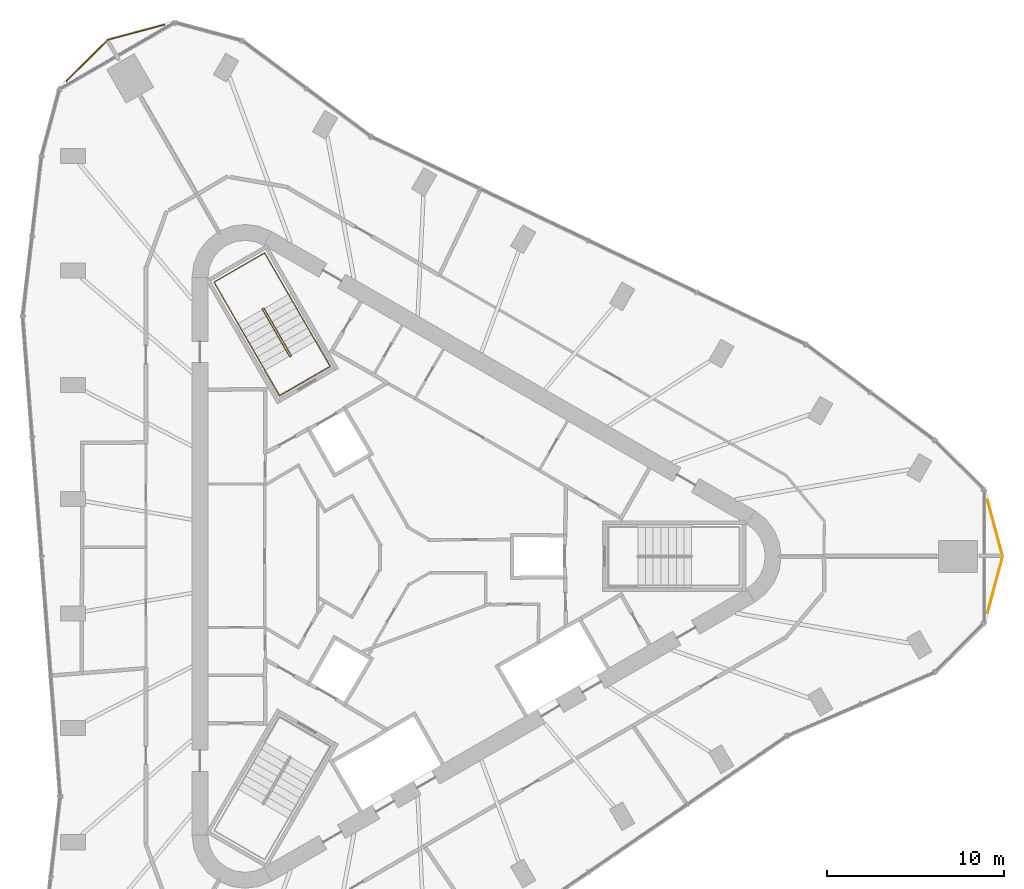
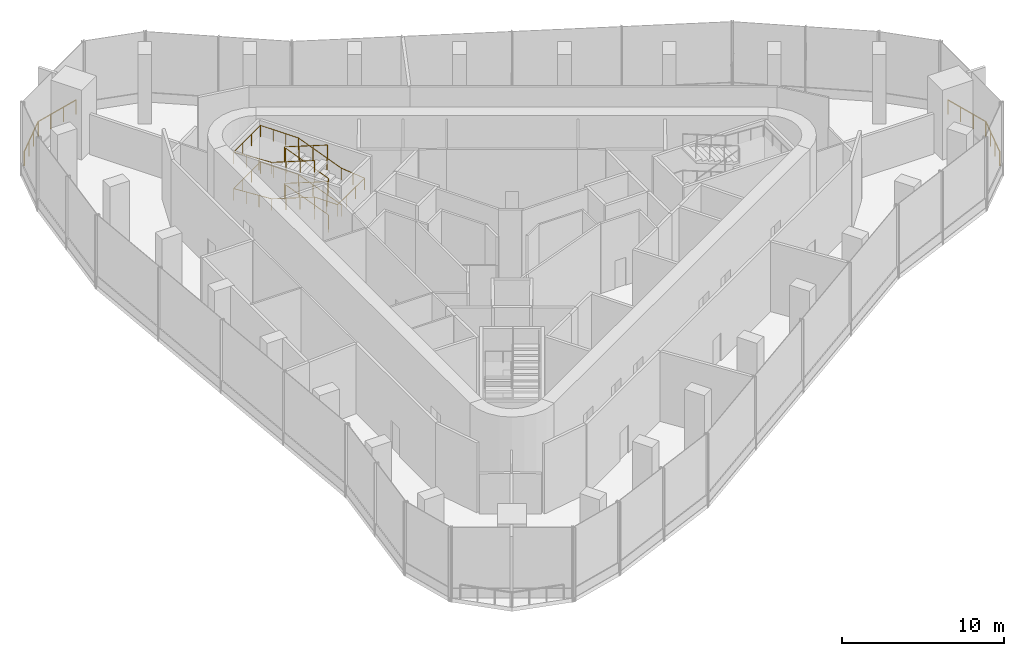
# One storey, part 13 of 13: 4 railings.
"""IFC4 building model written with IfcOpenShell, lengths in metres."""

from ifc_helpers import new_model, si_unit, direction, frame, origin, origin_2d, place, context, subcontext, project, spatial, circle, extrude, material, type_object, element, save


model = new_model("IFC4")

# Units and contexts
model_context = context("Model", 3, precision=1e-05, world=origin(), true_north=direction((0.0, 1.0)))
body_context = subcontext(model_context, "Body", "Model", "MODEL_VIEW")
ifc_project = project(units=[si_unit("LENGTHUNIT", "METRE"), si_unit("AREAUNIT", "SQUARE_METRE"), si_unit("VOLUMEUNIT", "CUBIC_METRE"), si_unit("PLANEANGLEUNIT", "RADIAN"), si_unit("MASSUNIT", "GRAM", prefix="KILO")], contexts=[model_context])

# Site, building, storey
site_placement = place(None, origin())
site = spatial("IfcSite", under=ifc_project, at=site_placement, CompositionType="ELEMENT")
building_placement = place(site_placement, origin())
building = spatial("IfcBuilding", under=site, at=building_placement, Name="Tanit Gate Tower", CompositionType="ELEMENT")
storey_placement = place(building_placement, frame((0.0, 0.0, 404.800048828125)))
storey = spatial("IfcBuildingStorey", under=building, at=storey_placement, Name="L92", CompositionType="ELEMENT", Elevation=404.800048828125)

# Railings
ifc_material_1 = material(Name="Stainless steel", Category="steel")
railing_type_1 = type_object("IfcRailingType", Name="Guard 1100 stainless steel balustrade", PredefinedType="GUARDRAIL", material=ifc_material_1)
railing_1_placement = place(storey_placement, frame((-19.1923828125, 26.8603515625, 0.0)))
element("IfcRailing", 1, at=railing_1_placement, inside=storey, type_object=railing_type_1, Name="Corner ledge guard L92 2", PredefinedType="GUARDRAIL", context=body_context, shape_type="SweptSolid", body=[
    extrude(circle(Radius=0.02392578125, at=origin_2d()), frame((0.0, 0.0, 1.076171875), z_axis=(0.707106781187, 0.707106781187, 0.0), x_axis=(-0.707106781187, 0.707106781187, 0.0)), (0.0, 0.0, 1.0), 3.303466796875),
    extrude(circle(Radius=0.02392578125, at=origin_2d()), frame((2.3359375, 2.3359375, 1.076171875), z_axis=(0.965927598952, 0.258812429344, 0.0), x_axis=(-0.258812429344, 0.965927598952, 0.0)), (0.0, 0.0, 1.0), 3.303466796875),
    extrude(circle(Radius=0.02099609375, at=origin_2d()), origin(), (0.0, 0.0, 1.0), 1.052001953125),
    extrude(circle(Radius=0.02099609375, at=origin_2d()), frame((0.778564453125, 0.778564453125, 0.0)), (0.0, 0.0, 1.0), 1.052001953125),
    extrude(circle(Radius=0.02099609375, at=origin_2d()), frame((1.557373046875, 1.557373046875, 0.0)), (0.0, 0.0, 1.0), 1.052001953125),
    extrude(circle(Radius=0.02099609375, at=origin_2d()), frame((2.3359375, 2.3359375, 0.0)), (0.0, 0.0, 1.0), 1.052001953125),
    extrude(circle(Radius=0.02099609375, at=origin_2d()), frame((3.399658203125, 2.620849609375, 0.0)), (0.0, 0.0, 1.0), 1.052001953125),
    extrude(circle(Radius=0.02099609375, at=origin_2d()), frame((4.463134765625, 2.906005859375, 0.0)), (0.0, 0.0, 1.0), 1.052001953125),
    extrude(circle(Radius=0.02099609375, at=origin_2d()), frame((5.52685546875, 3.19091796875, 0.0)), (0.0, 0.0, 1.0), 1.052001953125),
])
railing_2_placement = place(storey_placement, frame((32.85791015625, 3.190673828125, 0.0)))
element("IfcRailing", 2, at=railing_2_placement, inside=storey, type_object=railing_type_1, Name="Corner ledge guard L92 3", PredefinedType="GUARDRAIL", context=body_context, shape_type="SweptSolid", body=[
    extrude(circle(Radius=0.02392578125, at=origin_2d()), frame((0.0, 0.0, 1.076171875), z_axis=(0.258830906222, -0.965922648034, 0.0), x_axis=(0.965922648034, 0.258830906222, 0.0)), (0.0, 0.0, 1.0), 3.30322265625),
    extrude(circle(Radius=0.02392578125, at=origin_2d()), frame((0.85498046875, -3.190673828125, 1.076171875), z_axis=(-0.258830906222, -0.965922648034, 0.0), x_axis=(0.965922648034, -0.258830906222, 0.0)), (0.0, 0.0, 1.0), 3.30322265625),
    extrude(circle(Radius=0.02099609375, at=origin_2d()), origin(), (0.0, 0.0, 1.0), 1.052001953125),
    extrude(circle(Radius=0.02099609375, at=origin_2d()), frame((0.284912109375, -1.0634765625, 0.0)), (0.0, 0.0, 1.0), 1.052001953125),
    extrude(circle(Radius=0.02099609375, at=origin_2d()), frame((0.570068359375, -2.127197265625, 0.0)), (0.0, 0.0, 1.0), 1.052001953125),
    extrude(circle(Radius=0.02099609375, at=origin_2d()), frame((0.85498046875, -3.190673828125, 0.0)), (0.0, 0.0, 1.0), 1.052001953125),
    extrude(circle(Radius=0.02099609375, at=origin_2d()), frame((0.570068359375, -4.254150390625, 0.0)), (0.0, 0.0, 1.0), 1.052001953125),
    extrude(circle(Radius=0.02099609375, at=origin_2d()), frame((0.284912109375, -5.31787109375, 0.0)), (0.0, 0.0, 1.0), 1.052001953125),
    extrude(circle(Radius=0.02099609375, at=origin_2d()), frame((0.0, -6.38134765625, 0.0)), (0.0, 0.0, 1.0), 1.052001953125),
])
ifc_material_2 = material(Name="Stainless steel balustrade", Category="steel")
railing_type_2 = type_object("IfcRailingType", Name="INT-STAIR-GUARD", PredefinedType="GUARDRAIL", material=ifc_material_2)
railing_3_placement = place(storey_placement, frame((-6.527099609375, 11.29345703125, 0.0)))
element("IfcRailing", 3, at=railing_3_placement, inside=storey, type_object=railing_type_2, Name="L92 S2 stair guard 1", PredefinedType="GUARDRAIL", context=body_context, shape_type="SweptSolid", body=[
    extrude(circle(Radius=0.02392578125, at=origin_2d()), frame((0.0, 0.0, 1.076171875), z_axis=(0.868243142124, 0.496138938357, 0.0), x_axis=(-0.496138938357, 0.868243142124, 0.0)), (0.0, 0.0, 1.0), 0.01171875),
    extrude(circle(Radius=0.02392578125, at=origin_2d()), frame((0.01025390625, 0.005859375, 1.076171875), z_axis=(0.098510316608, 0.367771848671, 0.924683505231), x_axis=(-0.965948051503, 0.258736085224, 0.0)), (0.0, 0.0, 1.0), 0.185791015625),
    extrude(circle(Radius=0.02392578125, at=origin_2d()), frame((0.028564453125, 0.07421875, 1.248046875), z_axis=(-0.465124729526, 0.805570708496, 0.367035174877), x_axis=(-0.866012246495, -0.500022788402, 0.0)), (0.0, 0.0, 1.0), 3.278076171875),
    extrude(circle(Radius=0.02392578125, at=origin_2d()), frame((-1.49609375, 2.71484375, 2.451171875), z_axis=(-0.965715946433, 0.259601060869, 0.0), x_axis=(-0.259601060869, -0.965715946433, 0.0)), (0.0, 0.0, 1.0), 0.070556640625),
    extrude(circle(Radius=0.02392578125, at=origin_2d()), frame((-1.564208984375, 2.733154296875, 2.451171875), z_axis=(-0.873197702015, -0.487366159264, 0.0), x_axis=(0.487366159264, -0.873197702015, 0.0)), (0.0, 0.0, 1.0), 0.011962890625),
    extrude(circle(Radius=0.02392578125, at=origin_2d()), frame((-1.57470703125, 2.727294921875, 2.451171875), z_axis=(-0.098510316608, -0.367771848671, 0.924683505231), x_axis=(0.965948051503, -0.258736085224, 0.0)), (0.0, 0.0, 1.0), 0.185791015625),
    extrude(circle(Radius=0.02392578125, at=origin_2d()), frame((-1.593017578125, 2.658935546875, 2.623046875), z_axis=(0.465124729526, -0.805570708496, 0.367035174877), x_axis=(0.866012246495, 0.500022788402, 0.0)), (0.0, 0.0, 1.0), 3.278076171875),
    extrude(circle(Radius=0.02392578125, at=origin_2d()), frame((-0.068359375, 0.018310546875, 3.826171875), z_axis=(0.965948051503, -0.258736085224, 0.0), x_axis=(0.258736085224, 0.965948051503, 0.0)), (0.0, 0.0, 1.0), 0.07080078125),
    extrude(circle(Radius=0.02392578125, at=origin_2d()), frame((0.0, 0.0, 3.826171875), z_axis=(0.868243142124, 0.496138938357, 0.0), x_axis=(-0.496138938357, 0.868243142124, 0.0)), (0.0, 0.0, 1.0), 0.01171875),
    extrude(circle(Radius=0.02392578125, at=origin_2d()), frame((0.01025390625, 0.005859375, 3.826171875), z_axis=(0.098510316608, 0.367771848671, 0.924683505231), x_axis=(-0.965948051503, 0.258736085224, 0.0)), (0.0, 0.0, 1.0), 0.185791015625),
    extrude(circle(Radius=0.02392578125, at=origin_2d()), frame((0.028564453125, 0.07421875, 3.998046875), z_axis=(-0.465124729526, 0.805570708496, 0.367035174877), x_axis=(-0.866012246495, -0.500022788402, 0.0)), (0.0, 0.0, 1.0), 3.278076171875),
    extrude(circle(Radius=0.02392578125, at=origin_2d()), frame((-1.49609375, 2.71484375, 5.201171875), z_axis=(-0.965715946433, 0.259601060869, 0.0), x_axis=(-0.259601060869, -0.965715946433, 0.0)), (0.0, 0.0, 1.0), 0.070556640625),
    extrude(circle(Radius=0.02392578125, at=origin_2d()), frame((-1.564208984375, 2.733154296875, 5.201171875), z_axis=(-0.873197702015, -0.487366159264, 0.0), x_axis=(0.487366159264, -0.873197702015, 0.0)), (0.0, 0.0, 1.0), 0.011962890625),
    extrude(circle(Radius=0.02392578125, at=origin_2d()), frame((-1.57470703125, 2.727294921875, 5.201171875), z_axis=(-0.098510316608, -0.367771848671, 0.924683505231), x_axis=(0.965948051503, -0.258736085224, 0.0)), (0.0, 0.0, 1.0), 0.185791015625),
    extrude(circle(Radius=0.02392578125, at=origin_2d()), frame((-1.593017578125, 2.658935546875, 5.373046875), z_axis=(0.465124729526, -0.805570708496, 0.367035174877), x_axis=(0.866012246495, 0.500022788402, 0.0)), (0.0, 0.0, 1.0), 3.278076171875),
    extrude(circle(Radius=0.02099609375, at=origin_2d()), origin(), (0.0, 0.0, 1.0), 1.052001953125),
    extrude(circle(Radius=0.02099609375, at=origin_2d()), frame((0.01025390625, 0.005859375, 0.0)), (0.0, 0.0, 1.0), 1.052001953125),
    extrude(circle(Radius=0.02099609375, at=origin_2d()), frame((0.028564453125, 0.07421875, 0.171875)), (0.0, 0.0, 1.0), 1.052001953125),
    extrude(circle(Radius=0.02099609375, at=origin_2d()), frame((-0.479736328125, 0.954345703125, 0.572998046875)), (0.0, 0.0, 1.0), 1.052001953125),
    extrude(circle(Radius=0.02099609375, at=origin_2d()), frame((-0.98779296875, 1.834716796875, 0.973876953125)), (0.0, 0.0, 1.0), 1.052001953125),
    extrude(circle(Radius=0.02099609375, at=origin_2d()), frame((-1.49609375, 2.71484375, 1.375)), (0.0, 0.0, 1.0), 1.052001953125),
    extrude(circle(Radius=0.02099609375, at=origin_2d()), frame((-1.564208984375, 2.733154296875, 1.375)), (0.0, 0.0, 1.0), 1.052001953125),
    extrude(circle(Radius=0.02099609375, at=origin_2d()), frame((-1.57470703125, 2.727294921875, 1.375)), (0.0, 0.0, 1.0), 1.052001953125),
    extrude(circle(Radius=0.02099609375, at=origin_2d()), frame((-1.593017578125, 2.658935546875, 1.546875)), (0.0, 0.0, 1.0), 1.052001953125),
    extrude(circle(Radius=0.02099609375, at=origin_2d()), frame((-1.084716796875, 1.77880859375, 1.947998046875)), (0.0, 0.0, 1.0), 1.052001953125),
    extrude(circle(Radius=0.02099609375, at=origin_2d()), frame((-0.57666015625, 0.8984375, 2.348876953125)), (0.0, 0.0, 1.0), 1.052001953125),
    extrude(circle(Radius=0.02099609375, at=origin_2d()), frame((-0.068359375, 0.018310546875, 2.75)), (0.0, 0.0, 1.0), 1.052001953125),
    extrude(circle(Radius=0.02099609375, at=origin_2d()), frame((0.0, 0.0, 2.75)), (0.0, 0.0, 1.0), 1.052001953125),
    extrude(circle(Radius=0.02099609375, at=origin_2d()), frame((0.01025390625, 0.005859375, 2.75)), (0.0, 0.0, 1.0), 1.052001953125),
    extrude(circle(Radius=0.02099609375, at=origin_2d()), frame((0.028564453125, 0.07421875, 2.921875)), (0.0, 0.0, 1.0), 1.052001953125),
    extrude(circle(Radius=0.02099609375, at=origin_2d()), frame((-0.479736328125, 0.954345703125, 3.322998046875)), (0.0, 0.0, 1.0), 1.052001953125),
    extrude(circle(Radius=0.02099609375, at=origin_2d()), frame((-0.98779296875, 1.834716796875, 3.723876953125)), (0.0, 0.0, 1.0), 1.052001953125),
    extrude(circle(Radius=0.02099609375, at=origin_2d()), frame((-1.49609375, 2.71484375, 4.125)), (0.0, 0.0, 1.0), 1.052001953125),
    extrude(circle(Radius=0.02099609375, at=origin_2d()), frame((-1.564208984375, 2.733154296875, 4.125)), (0.0, 0.0, 1.0), 1.052001953125),
    extrude(circle(Radius=0.02099609375, at=origin_2d()), frame((-1.57470703125, 2.727294921875, 4.125)), (0.0, 0.0, 1.0), 1.052001953125),
    extrude(circle(Radius=0.02099609375, at=origin_2d()), frame((-1.593017578125, 2.658935546875, 4.296875)), (0.0, 0.0, 1.0), 1.052001953125),
    extrude(circle(Radius=0.02099609375, at=origin_2d()), frame((-1.084716796875, 1.77880859375, 4.697998046875)), (0.0, 0.0, 1.0), 1.052001953125),
    extrude(circle(Radius=0.02099609375, at=origin_2d()), frame((-0.57666015625, 0.8984375, 5.098876953125)), (0.0, 0.0, 1.0), 1.052001953125),
    extrude(circle(Radius=0.02099609375, at=origin_2d()), frame((-0.068359375, 0.018310546875, 5.5)), (0.0, 0.0, 1.0), 1.052001953125),
])
ifc_material_3 = material(Name="Stainless steel handrail", Category="steel")
railing_type_3 = type_object("IfcRailingType", Name="INT-STAIR-HANDRAIL", PredefinedType="HANDRAIL", material=ifc_material_3)
railing_4_placement = place(storey_placement, frame((-5.1181640625, 12.164794921875, 0.171875)))
element("IfcRailing", 4, at=railing_4_placement, inside=storey, type_object=railing_type_3, Name="L92 S2 stair handrail 1", PredefinedType="HANDRAIL", context=body_context, shape_type="SweptSolid", body=[
    extrude(circle(Radius=0.02392578125, at=origin_2d()), frame((0.0, 0.0, 0.8759765625), z_axis=(-0.465066359932, 0.805598614514, 0.367047889453), x_axis=(-0.866046917185, -0.499962735845, 0.0)), (0.0, 0.0, 1.0), 3.27783203125),
    extrude(circle(Radius=0.02392578125, at=origin_2d()), frame((-1.5244140625, 2.640625, 2.0791015625), z_axis=(-0.500019123664, 0.86601436245, 0.0), x_axis=(-0.86601436245, -0.500019123664, 0.0)), (0.0, 0.0, 1.0), 2.70703125),
    extrude(circle(Radius=0.02392578125, at=origin_2d()), frame((-2.8779296875, 4.98486328125, 2.0791015625), z_axis=(-0.866008176907, -0.50002983664, 0.0), x_axis=(0.50002983664, -0.866008176907, 0.0)), (0.0, 0.0, 1.0), 3.300048828125),
    extrude(circle(Radius=0.02392578125, at=origin_2d()), frame((-5.73583984375, 3.334716796875, 2.0791015625), z_axis=(0.499053057293, -0.864251154955, 0.063371816799), x_axis=(0.865991810323, 0.500058181068, 0.0)), (0.0, 0.0, 1.0), 2.712158203125),
    extrude(circle(Radius=0.02392578125, at=origin_2d()), frame((-4.38232421875, 0.99072265625, 2.2509765625), z_axis=(0.465096823945, -0.80559685262, 0.367013154267), x_axis=(0.866032263162, 0.499988119021, 0.0)), (0.0, 0.0, 1.0), 3.278076171875),
    extrude(circle(Radius=0.02392578125, at=origin_2d()), frame((-2.857666015625, -1.650146484375, 3.4541015625), z_axis=(0.499941024108, -0.866059450854, 0.0), x_axis=(0.866059450854, 0.499941024108, 0.0)), (0.0, 0.0, 1.0), 1.643798828125),
    extrude(circle(Radius=0.02392578125, at=origin_2d()), frame((-2.035888671875, -3.07373046875, 3.4541015625), z_axis=(0.866040211805, 0.499974350878, 0.0), x_axis=(-0.499974350878, 0.866040211805, 0.0)), (0.0, 0.0, 1.0), 3.300048828125),
    extrude(circle(Radius=0.02392578125, at=origin_2d()), frame((0.822021484375, -1.423828125, 3.4541015625), z_axis=(-0.497278129023, 0.861338297732, 0.103974993416), x_axis=(-0.866032269107, -0.499988108725, 0.0)), (0.0, 0.0, 1.0), 1.653076171875),
    extrude(circle(Radius=0.02392578125, at=origin_2d()), frame((0.0, 0.0, 3.6259765625), z_axis=(-0.465066359932, 0.805598614514, 0.367047889453), x_axis=(-0.866046917185, -0.499962735845, 0.0)), (0.0, 0.0, 1.0), 3.27783203125),
    extrude(circle(Radius=0.02392578125, at=origin_2d()), frame((-1.5244140625, 2.640625, 4.8291015625), z_axis=(-0.500019123664, 0.86601436245, 0.0), x_axis=(-0.86601436245, -0.500019123664, 0.0)), (0.0, 0.0, 1.0), 2.70703125),
    extrude(circle(Radius=0.02392578125, at=origin_2d()), frame((-2.8779296875, 4.98486328125, 4.8291015625), z_axis=(-0.866008176907, -0.50002983664, 0.0), x_axis=(0.50002983664, -0.866008176907, 0.0)), (0.0, 0.0, 1.0), 3.300048828125),
    extrude(circle(Radius=0.02392578125, at=origin_2d()), frame((-5.73583984375, 3.334716796875, 4.8291015625), z_axis=(0.499053057293, -0.864251154955, 0.063371816799), x_axis=(0.865991810323, 0.500058181068, 0.0)), (0.0, 0.0, 1.0), 2.712158203125),
    extrude(circle(Radius=0.02392578125, at=origin_2d()), frame((-4.38232421875, 0.99072265625, 5.0009765625), z_axis=(0.465096823945, -0.80559685262, 0.367013154267), x_axis=(0.866032263162, 0.499988119021, 0.0)), (0.0, 0.0, 1.0), 3.278076171875),
    extrude(circle(Radius=0.02099609375, at=origin_2d()), origin(), (0.0, 0.0, 1.0), 0.851806640625),
    extrude(circle(Radius=0.02099609375, at=origin_2d()), frame((-0.508056640625, 0.880126953125, 0.401123046875)), (0.0, 0.0, 1.0), 0.851806640625),
    extrude(circle(Radius=0.02099609375, at=origin_2d()), frame((-1.016357421875, 1.760498046875, 0.802001953125)), (0.0, 0.0, 1.0), 0.851806640625),
    extrude(circle(Radius=0.02099609375, at=origin_2d()), frame((-1.5244140625, 2.640625, 1.203125)), (0.0, 0.0, 1.0), 0.851806640625),
    extrude(circle(Radius=0.02099609375, at=origin_2d()), frame((-1.9755859375, 3.422119140625, 1.203125)), (0.0, 0.0, 1.0), 0.851806640625),
    extrude(circle(Radius=0.02099609375, at=origin_2d()), frame((-2.4267578125, 4.203369140625, 1.203125)), (0.0, 0.0, 1.0), 0.851806640625),
    extrude(circle(Radius=0.02099609375, at=origin_2d()), frame((-2.8779296875, 4.98486328125, 1.203125)), (0.0, 0.0, 1.0), 0.851806640625),
    extrude(circle(Radius=0.02099609375, at=origin_2d()), frame((-3.83056640625, 4.434814453125, 1.203125)), (0.0, 0.0, 1.0), 0.851806640625),
    extrude(circle(Radius=0.02099609375, at=origin_2d()), frame((-4.783203125, 3.884765625, 1.203125)), (0.0, 0.0, 1.0), 0.851806640625),
    extrude(circle(Radius=0.02099609375, at=origin_2d()), frame((-5.73583984375, 3.334716796875, 1.203125)), (0.0, 0.0, 1.0), 0.851806640625),
    extrude(circle(Radius=0.02099609375, at=origin_2d()), frame((-5.28466796875, 2.553466796875, 1.260498046875)), (0.0, 0.0, 1.0), 0.851806640625),
    extrude(circle(Radius=0.02099609375, at=origin_2d()), frame((-4.83349609375, 1.77197265625, 1.317626953125)), (0.0, 0.0, 1.0), 0.851806640625),
    extrude(circle(Radius=0.02099609375, at=origin_2d()), frame((-4.38232421875, 0.99072265625, 1.375)), (0.0, 0.0, 1.0), 0.851806640625),
    extrude(circle(Radius=0.02099609375, at=origin_2d()), frame((-3.8740234375, 0.1103515625, 1.776123046875)), (0.0, 0.0, 1.0), 0.851806640625),
    extrude(circle(Radius=0.02099609375, at=origin_2d()), frame((-3.365966796875, -0.769775390625, 2.177001953125)), (0.0, 0.0, 1.0), 0.851806640625),
    extrude(circle(Radius=0.02099609375, at=origin_2d()), frame((-2.857666015625, -1.650146484375, 2.578125)), (0.0, 0.0, 1.0), 0.851806640625),
    extrude(circle(Radius=0.02099609375, at=origin_2d()), frame((-2.44677734375, -2.36181640625, 2.578125)), (0.0, 0.0, 1.0), 0.851806640625),
    extrude(circle(Radius=0.02099609375, at=origin_2d()), frame((-2.035888671875, -3.07373046875, 2.578125)), (0.0, 0.0, 1.0), 0.851806640625),
    extrude(circle(Radius=0.02099609375, at=origin_2d()), frame((-1.083251953125, -2.523681640625, 2.578125)), (0.0, 0.0, 1.0), 0.851806640625),
    extrude(circle(Radius=0.02099609375, at=origin_2d()), frame((-0.130615234375, -1.973876953125, 2.578125)), (0.0, 0.0, 1.0), 0.851806640625),
    extrude(circle(Radius=0.02099609375, at=origin_2d()), frame((0.822021484375, -1.423828125, 2.578125)), (0.0, 0.0, 1.0), 0.851806640625),
    extrude(circle(Radius=0.02099609375, at=origin_2d()), frame((0.4111328125, -0.7119140625, 2.6640625)), (0.0, 0.0, 1.0), 0.851806640625),
    extrude(circle(Radius=0.02099609375, at=origin_2d()), frame((0.0, 0.0, 2.75)), (0.0, 0.0, 1.0), 0.851806640625),
    extrude(circle(Radius=0.02099609375, at=origin_2d()), frame((-0.508056640625, 0.880126953125, 3.151123046875)), (0.0, 0.0, 1.0), 0.851806640625),
    extrude(circle(Radius=0.02099609375, at=origin_2d()), frame((-1.016357421875, 1.760498046875, 3.552001953125)), (0.0, 0.0, 1.0), 0.851806640625),
    extrude(circle(Radius=0.02099609375, at=origin_2d()), frame((-1.5244140625, 2.640625, 3.953125)), (0.0, 0.0, 1.0), 0.851806640625),
    extrude(circle(Radius=0.02099609375, at=origin_2d()), frame((-1.9755859375, 3.422119140625, 3.953125)), (0.0, 0.0, 1.0), 0.851806640625),
    extrude(circle(Radius=0.02099609375, at=origin_2d()), frame((-2.4267578125, 4.203369140625, 3.953125)), (0.0, 0.0, 1.0), 0.851806640625),
    extrude(circle(Radius=0.02099609375, at=origin_2d()), frame((-2.8779296875, 4.98486328125, 3.953125)), (0.0, 0.0, 1.0), 0.851806640625),
    extrude(circle(Radius=0.02099609375, at=origin_2d()), frame((-3.83056640625, 4.434814453125, 3.953125)), (0.0, 0.0, 1.0), 0.851806640625),
    extrude(circle(Radius=0.02099609375, at=origin_2d()), frame((-4.783203125, 3.884765625, 3.953125)), (0.0, 0.0, 1.0), 0.851806640625),
    extrude(circle(Radius=0.02099609375, at=origin_2d()), frame((-5.73583984375, 3.334716796875, 3.953125)), (0.0, 0.0, 1.0), 0.851806640625),
    extrude(circle(Radius=0.02099609375, at=origin_2d()), frame((-5.28466796875, 2.553466796875, 4.010498046875)), (0.0, 0.0, 1.0), 0.851806640625),
    extrude(circle(Radius=0.02099609375, at=origin_2d()), frame((-4.83349609375, 1.77197265625, 4.067626953125)), (0.0, 0.0, 1.0), 0.851806640625),
    extrude(circle(Radius=0.02099609375, at=origin_2d()), frame((-4.38232421875, 0.99072265625, 4.125)), (0.0, 0.0, 1.0), 0.851806640625),
    extrude(circle(Radius=0.02099609375, at=origin_2d()), frame((-3.8740234375, 0.1103515625, 4.526123046875)), (0.0, 0.0, 1.0), 0.851806640625),
    extrude(circle(Radius=0.02099609375, at=origin_2d()), frame((-3.365966796875, -0.769775390625, 4.927001953125)), (0.0, 0.0, 1.0), 0.851806640625),
    extrude(circle(Radius=0.02099609375, at=origin_2d()), frame((-2.857666015625, -1.650146484375, 5.328125)), (0.0, 0.0, 1.0), 0.851806640625),
])

save(model, "model.ifc")
